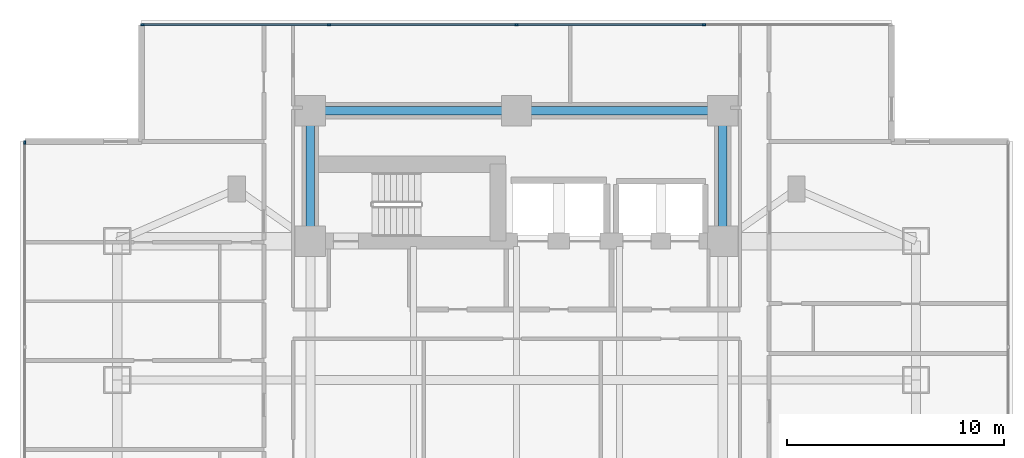
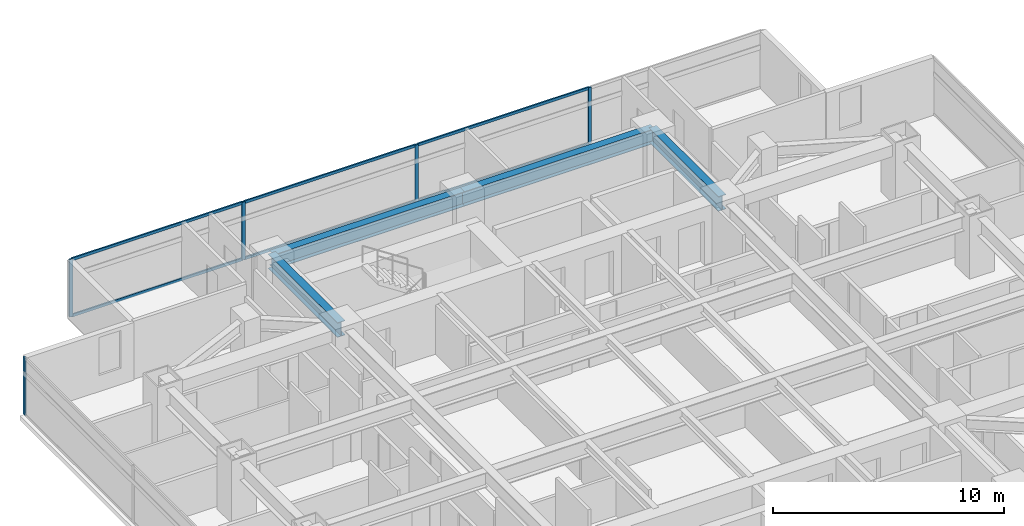
# One storey, part 7 of 27: 11 members, 4 beams, 2 elements without a shape of their own.
"""IFC4 building model written with IfcOpenShell, lengths in metres."""

from ifc_helpers import new_model, si_unit, direction, frame, origin, origin_2d, place, context, subcontext, project, spatial, rectangle, i_section, extrude, material, material_profile, profile_set, type_object, element, aggregate, save


model = new_model("IFC4")

# Units and contexts
model_context = context("Model", 3, precision=1e-05, world=origin(), true_north=direction((0.0, 1.0)))
body_context = subcontext(model_context, "Body", "Model", "MODEL_VIEW")
ifc_project = project(units=[si_unit("LENGTHUNIT", "METRE"), si_unit("AREAUNIT", "SQUARE_METRE"), si_unit("VOLUMEUNIT", "CUBIC_METRE"), si_unit("PLANEANGLEUNIT", "RADIAN"), si_unit("MASSUNIT", "GRAM", prefix="KILO")], contexts=[model_context])

# Site, building, storey
site_placement = place(None, origin())
site = spatial("IfcSite", under=ifc_project, at=site_placement, CompositionType="ELEMENT")
building_placement = place(site_placement, origin())
building = spatial("IfcBuilding", under=site, at=building_placement, Name="Mirazonda Arch Towers", CompositionType="ELEMENT")
storey_placement = place(building_placement, frame((0.0, 0.0, 42.199951171875)))
storey = spatial("IfcBuildingStorey", under=building, at=storey_placement, Name="L11", CompositionType="ELEMENT", Elevation=42.199951171875)

# Beams
ifc_material_1 = material(Name="Steel ASTM A992 Grade 50", Category="steel")
ifc_material_profile_1 = material_profile(ifc_material_1, i_section(OverallWidth=0.381103515625, OverallDepth=0.77294921875, WebThickness=0.0166015625, FlangeThickness=0.027099609375, at=origin_2d()), Name="W30X173")
ifc_profile_set_1 = profile_set([ifc_material_profile_1], Name="Steel ASTM A992 Grade 50")
beam_type = type_object("IfcBeamType", Name="BM-INT-W30X173", PredefinedType="USERDEFINED", material=ifc_profile_set_1)
for number, where, z_axis, x_axis, name in (
    (1, (11.0, 43.60009765625, 2.673583984375), (1.0, 0.0, 0.0), (0.0, 1.0, 0.0), "L11 Floor Beam BM-T1-L11-CN1"),
    (2, (20.5, 43.60009765625, 2.673583984375), (1.0, 0.0, 0.0), (0.0, 1.0, 0.0), "L11 Floor Beam BM-T1-L11-CN2"),
):
    element("IfcBeam", number, at=place(storey_placement, frame(where, z_axis=z_axis, x_axis=x_axis)), inside=storey, type_object=beam_type, Name=name, ObjectType="GIRDER", PredefinedType="USERDEFINED", context=body_context, shape_type="SweptSolid", body=[
        extrude(i_section(OverallWidth=0.381103515625, OverallDepth=0.77294921875, WebThickness=0.0166015625, FlangeThickness=0.027099609375, at=origin_2d()), origin(), (0.0, 0.0, 1.0), 9.5),
    ])
for number, where, z_axis, x_axis, name in (
    (3, (11.0, 37.60009765625, 2.673583984375), (0.0, 1.0, 0.0), (-1.0, 0.0, 0.0), "L11 Floor Beam BM-T1-L11-CNW"),
    (4, (30.0, 37.60009765625, 2.673583984375), (0.0, 1.0, 0.0), (-1.0, 0.0, 0.0), "L11 Floor Beam BM-T1-L11-CNE"),
):
    element("IfcBeam", number, at=place(storey_placement, frame(where, z_axis=z_axis, x_axis=x_axis)), inside=storey, type_object=beam_type, Name=name, ObjectType="GIRDER", PredefinedType="USERDEFINED", context=body_context, shape_type="SweptSolid", body=[
        extrude(i_section(OverallWidth=0.381103515625, OverallDepth=0.77294921875, WebThickness=0.0166015625, FlangeThickness=0.027099609375, at=origin_2d()), origin(), (0.0, 0.0, 1.0), 6.0),
    ])

# Curtain wall, members
ifc_material_2 = material(Name="Anodised Aluminium and Low-E Glass", Category="aluminium")
curtain_wall_type = type_object("IfcCurtainWallType", Name="CW-HTL-UNIT", PredefinedType="NOTDEFINED", material=ifc_material_2)
curtain_wall_1_placement = place(storey_placement, origin())
curtain_wall_1 = element("IfcCurtainWall", 5, at=curtain_wall_1_placement, inside=storey, type_object=curtain_wall_type, Name="L11 T1 N Facade CW-L11-T1-N", PredefinedType="NOTDEFINED")
ifc_material_3 = material(Name="Anodised Aluminium Alloy", Category="aluminium")
ifc_material_profile_2 = material_profile(ifc_material_3, rectangle(XDim=0.074951171875, YDim=0.1650390625, at=origin_2d()), Name="ALU-MULL-75x165")
ifc_profile_set_2 = profile_set([ifc_material_profile_2], Name="Anodised Aluminium Alloy")
member_type_1 = type_object("IfcMemberType", Name="MULL-CW-HTL-UNIT", PredefinedType="MULLION", material=ifc_profile_set_2)
member_1_placement = place(storey_placement, frame((3.257568359375, 47.568115234375, 0.0), z_axis=(0.0, 0.0, 1.0), x_axis=(0.0, 1.0, 0.0)))
member_1 = element("IfcMember", 6, at=member_1_placement, type_object=member_type_1, Name="CW-112 mullion 1", PredefinedType="MULLION", context=body_context, shape_type="SweptSolid", body=[
    extrude(rectangle(XDim=0.074951171875, YDim=0.1650390625, at=origin_2d()), origin(), (0.0, 0.0, 1.0), 3.0400390625),
])
member_2_placement = place(storey_placement, frame((11.860107421875, 47.568115234375, 0.0), z_axis=(0.0, 0.0, 1.0), x_axis=(0.0, 1.0, 0.0)))
member_2 = element("IfcMember", 7, at=member_2_placement, type_object=member_type_1, Name="CW-112 mullion 2", PredefinedType="MULLION", context=body_context, shape_type="SweptSolid", body=[
    extrude(rectangle(XDim=0.074951171875, YDim=0.1650390625, at=origin_2d()), origin(), (0.0, 0.0, 1.0), 3.0400390625),
])
member_3_placement = place(storey_placement, frame((20.5, 47.568115234375, 0.0), z_axis=(0.0, 0.0, 1.0), x_axis=(0.0, 1.0, 0.0)))
member_3 = element("IfcMember", 8, at=member_3_placement, type_object=member_type_1, Name="CW-112 mullion 3", PredefinedType="MULLION", context=body_context, shape_type="SweptSolid", body=[
    extrude(rectangle(XDim=0.074951171875, YDim=0.1650390625, at=origin_2d()), origin(), (0.0, 0.0, 1.0), 3.0400390625),
])
member_4_placement = place(storey_placement, frame((29.139892578125, 47.568115234375, 0.0), z_axis=(0.0, 0.0, 1.0), x_axis=(0.0, 1.0, 0.0)))
member_4 = element("IfcMember", 9, at=member_4_placement, type_object=member_type_1, Name="CW-112 mullion 4", PredefinedType="MULLION", context=body_context, shape_type="SweptSolid", body=[
    extrude(rectangle(XDim=0.074951171875, YDim=0.1650390625, at=origin_2d()), origin(), (0.0, 0.0, 1.0), 3.0400390625),
])

# Curtain wall, member
curtain_wall_2_placement = place(storey_placement, origin())
curtain_wall_2 = element("IfcCurtainWall", 10, at=curtain_wall_2_placement, inside=storey, type_object=curtain_wall_type, Name="L11 T1 W Facade CW-L11-T1-W", PredefinedType="NOTDEFINED")
member_5_placement = place(storey_placement, frame((-2.159912109375, 42.150390625, 0.0), z_axis=(0.0, 0.0, 1.0), x_axis=(1.0, 0.0, 0.0)))
member_5 = element("IfcMember", 11, at=member_5_placement, type_object=member_type_1, Name="CW-112 mullion 1", PredefinedType="MULLION", context=body_context, shape_type="SweptSolid", body=[
    extrude(rectangle(XDim=0.074951171875, YDim=0.1650390625, at=origin_2d()), origin(), (0.0, 0.0, 1.0), 3.0400390625),
])
aggregate(curtain_wall_2, [member_5])

# Member
ifc_material_profile_3 = material_profile(ifc_material_3, rectangle(XDim=0.074951171875, YDim=0.14501953125, at=origin_2d()), Name="ALU-TRAN-75x145")
ifc_profile_set_3 = profile_set([ifc_material_profile_3], Name="Anodised Aluminium Alloy")
member_type_2 = type_object("IfcMemberType", Name="TRAN-CW-HTL-UNIT", PredefinedType="USERDEFINED", material=ifc_profile_set_3)
member_6_placement = place(storey_placement, frame((3.294921875, 47.568115234375, 0.03759765625), z_axis=(1.0, 0.0, 0.0), x_axis=(0.0, 1.0, 0.0)))
member_6 = element("IfcMember", 12, at=member_6_placement, type_object=member_type_2, Name="CW-112 transom 1.1", ObjectType="TRANSOM", PredefinedType="USERDEFINED", context=body_context, shape_type="SweptSolid", body=[
    extrude(rectangle(XDim=0.074951171875, YDim=0.14501953125, at=origin_2d()), origin(), (0.0, 0.0, 1.0), 8.527587890625),
])

member_7_placement = place(storey_placement, frame((3.294921875, 47.568115234375, 3.00244140625), z_axis=(1.0, 0.0, 0.0), x_axis=(0.0, 1.0, 0.0)))
member_7 = element("IfcMember", 13, at=member_7_placement, type_object=member_type_2, Name="CW-112 transom 1.2", ObjectType="TRANSOM", PredefinedType="USERDEFINED", context=body_context, shape_type="SweptSolid", body=[
    extrude(rectangle(XDim=0.074951171875, YDim=0.14501953125, at=origin_2d()), origin(), (0.0, 0.0, 1.0), 8.527587890625),
])

member_8_placement = place(storey_placement, frame((11.8974609375, 47.568115234375, 0.03759765625), z_axis=(1.0, 0.0, 0.0), x_axis=(0.0, 1.0, 0.0)))
member_8 = element("IfcMember", 14, at=member_8_placement, type_object=member_type_2, Name="CW-112 transom 2.1", ObjectType="TRANSOM", PredefinedType="USERDEFINED", context=body_context, shape_type="SweptSolid", body=[
    extrude(rectangle(XDim=0.074951171875, YDim=0.14501953125, at=origin_2d()), origin(), (0.0, 0.0, 1.0), 8.56494140625),
])

member_9_placement = place(storey_placement, frame((11.8974609375, 47.568115234375, 3.00244140625), z_axis=(1.0, 0.0, 0.0), x_axis=(0.0, 1.0, 0.0)))
member_9 = element("IfcMember", 15, at=member_9_placement, type_object=member_type_2, Name="CW-112 transom 2.2", ObjectType="TRANSOM", PredefinedType="USERDEFINED", context=body_context, shape_type="SweptSolid", body=[
    extrude(rectangle(XDim=0.074951171875, YDim=0.14501953125, at=origin_2d()), origin(), (0.0, 0.0, 1.0), 8.56494140625),
])

member_10_placement = place(storey_placement, frame((20.53759765625, 47.568115234375, 0.03759765625), z_axis=(1.0, 0.0, 0.0), x_axis=(0.0, 1.0, 0.0)))
member_10 = element("IfcMember", 16, at=member_10_placement, type_object=member_type_2, Name="CW-112 transom 3.1", ObjectType="TRANSOM", PredefinedType="USERDEFINED", context=body_context, shape_type="SweptSolid", body=[
    extrude(rectangle(XDim=0.074951171875, YDim=0.14501953125, at=origin_2d()), origin(), (0.0, 0.0, 1.0), 8.56494140625),
])

member_11_placement = place(storey_placement, frame((20.53759765625, 47.568115234375, 3.00244140625), z_axis=(1.0, 0.0, 0.0), x_axis=(0.0, 1.0, 0.0)))
member_11 = element("IfcMember", 17, at=member_11_placement, type_object=member_type_2, Name="CW-112 transom 3.2", ObjectType="TRANSOM", PredefinedType="USERDEFINED", context=body_context, shape_type="SweptSolid", body=[
    extrude(rectangle(XDim=0.074951171875, YDim=0.14501953125, at=origin_2d()), origin(), (0.0, 0.0, 1.0), 8.56494140625),
])

aggregate(curtain_wall_1, [member_1, member_2, member_3, member_4, member_6, member_7, member_8, member_9, member_10, member_11])

save(model, "model.ifc")
